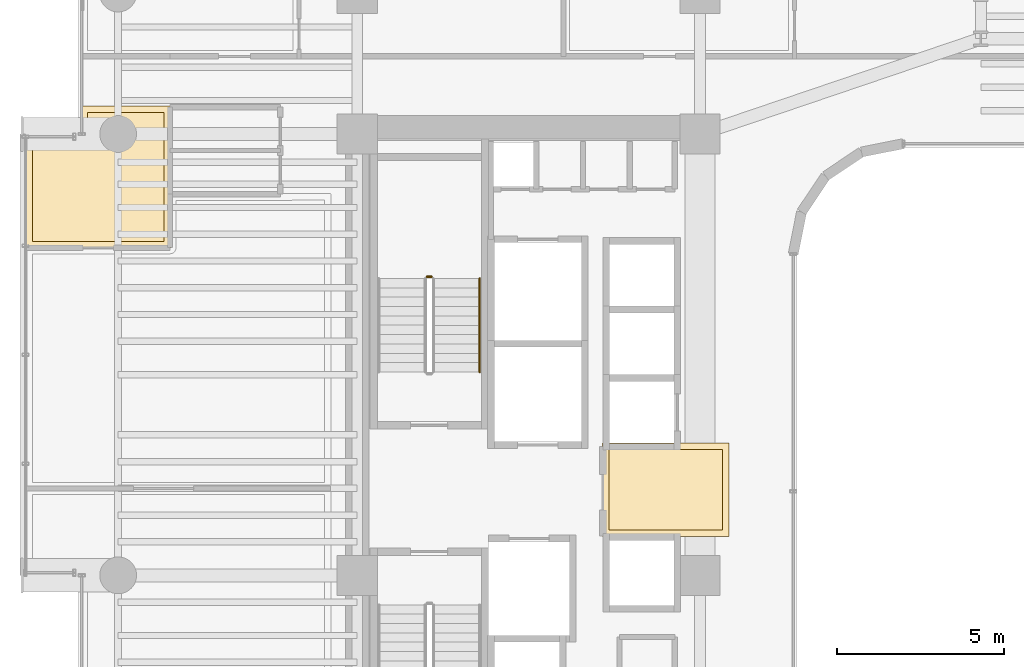
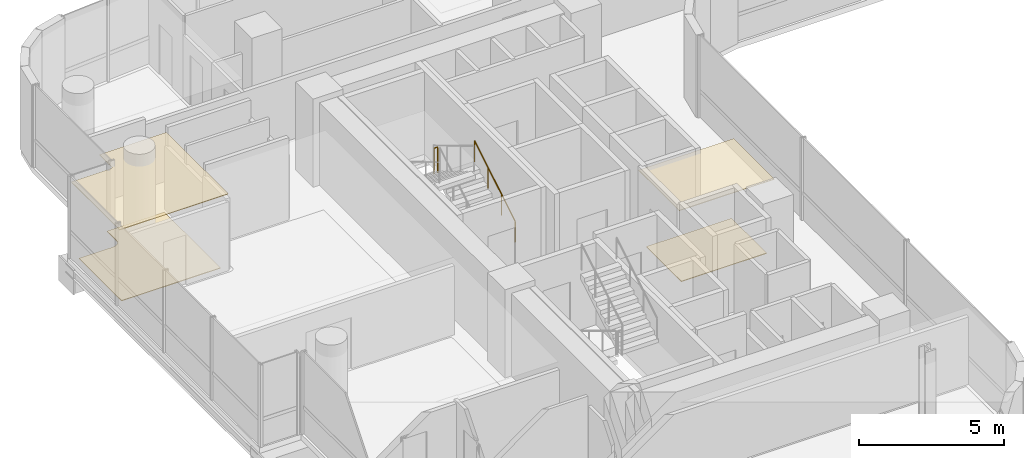
# One storey, part 33 of 36: 4 coverings, 2 railings.
"""IFC4 building model written with IfcOpenShell, lengths in metres."""

from ifc_helpers import new_model, si_unit, direction, frame, origin, origin_2d, place, context, subcontext, project, spatial, polyline, circle, outline, extrude, material, layer, layer_set, type_object, element, save


model = new_model("IFC4")

# Units and contexts
model_context = context("Model", 3, precision=1e-05, world=origin(), true_north=direction((0.0, 1.0)))
body_context = subcontext(model_context, "Body", "Model", "MODEL_VIEW")
ifc_project = project(units=[si_unit("LENGTHUNIT", "METRE"), si_unit("AREAUNIT", "SQUARE_METRE"), si_unit("VOLUMEUNIT", "CUBIC_METRE"), si_unit("PLANEANGLEUNIT", "RADIAN"), si_unit("MASSUNIT", "GRAM", prefix="KILO")], contexts=[model_context])

# Site, building, storey
site_placement = place(None, origin())
site = spatial("IfcSite", under=ifc_project, at=site_placement, CompositionType="ELEMENT")
building_placement = place(site_placement, origin())
building = spatial("IfcBuilding", under=site, at=building_placement, Name="Valdorenza Pilgrim Sanctuary Tower", CompositionType="ELEMENT")
storey_placement = place(building_placement, frame((0.0, 0.0, 109.39990234375)))
storey = spatial("IfcBuildingStorey", under=building, at=storey_placement, Name="L27", CompositionType="ELEMENT", Elevation=109.39990234375)

# Coverings
ifc_material_1 = material(Name="Micro-perforated acoustic mineral ceiling tile", Category="gypsum")
ifc_layer_1 = layer(ifc_material_1, 0.02490234375, Name="Micro-perforated acoustic mineral ceiling tile")
ifc_layer_set_1 = layer_set([ifc_layer_1], Name="Micro-perforated acoustic mineral ceiling tile")
covering_type_1 = type_object("IfcCoveringType", Name="COV-CLG-ACU", PredefinedType="CEILING", material=ifc_layer_set_1)
covering_1_placement = place(storey_placement, frame((0.0, 0.0, 3.16015625)))
element("IfcCovering", 1, at=covering_1_placement, inside=storey, type_object=covering_type_1, Name="L27 Core A Passenger Lift Lobby Acoustic Ceiling", PredefinedType="CEILING", context=body_context, shape_type="SweptSolid", body=[
    extrude(outline(polyline([(-15.31298828125, 1.244384765625), (-15.31298828125, 1.24462890625), (-15.313720703125, 1.24609375), (-15.314208984375, 1.24755859375), (-15.314697265625, 1.2490234375), (-15.31494140625, 1.25048828125), (-15.31494140625, 1.251953125), (-15.31494140625, 1.35009765625), (-15.31494140625, 1.3515625), (-15.314697265625, 1.352783203125), (-15.314453125, 1.3544921875), (-15.31396484375, 1.355712890625), (-15.313232421875, 1.357177734375), (-15.3125, 1.3583984375), (-15.3115234375, 1.359619140625), (-15.310546875, 1.360595703125), (-15.3095703125, 1.361572265625), (-15.308349609375, 1.362548828125), (-15.30712890625, 1.36328125), (-15.3056640625, 1.364013671875), (-15.304443359375, 1.364501953125), (-15.302978515625, 1.36474609375), (-15.301513671875, 1.364990234375), (-15.300048828125, 1.364990234375), (-15.10205078125, 1.364990234375), (-15.1005859375, 1.364990234375), (-15.09912109375, 1.36474609375), (-15.097412109375, 1.3642578125), (-15.09619140625, 1.36376953125), (-15.0947265625, 1.363037109375), (-15.094482421875, 1.363037109375), (-13.185546875, 1.363037109375), (-13.185302734375, 1.363037109375), (-13.183837890625, 1.36376953125), (-13.1826171875, 1.3642578125), (-13.180908203125, 1.36474609375), (-13.179443359375, 1.364990234375), (-13.177978515625, 1.364990234375), (-11.550048828125, 1.364990234375), (-11.548583984375, 1.364990234375), (-11.547119140625, 1.36474609375), (-11.545654296875, 1.364501953125), (-11.544189453125, 1.364013671875), (-11.54296875, 1.36328125), (-11.541748046875, 1.362548828125), (-11.54052734375, 1.361572265625), (-11.539306640625, 1.360595703125), (-11.538330078125, 1.359619140625), (-11.53759765625, 1.3583984375), (-11.536865234375, 1.357177734375), (-11.5361328125, 1.355712890625), (-11.53564453125, 1.3544921875), (-11.535400390625, 1.352783203125), (-11.53515625, 1.3515625), (-11.534912109375, 1.35009765625), (-11.534912109375, -1.419921875), (-11.53515625, -1.42138671875), (-11.535400390625, -1.4228515625), (-11.53564453125, -1.42431640625), (-11.5361328125, -1.42578125), (-11.536865234375, -1.427001953125), (-11.53759765625, -1.42822265625), (-11.538330078125, -1.429443359375), (-11.539306640625, -1.4306640625), (-11.54052734375, -1.431640625), (-11.541748046875, -1.4326171875), (-11.54296875, -1.43310546875), (-11.544189453125, -1.433837890625), (-11.545654296875, -1.434326171875), (-11.547119140625, -1.434814453125), (-11.548583984375, -1.434814453125), (-11.550048828125, -1.43505859375), (-15.298095703125, -1.43505859375), (-15.299560546875, -1.434814453125), (-15.30078125, -1.434814453125), (-15.302490234375, -1.434326171875), (-15.3037109375, -1.433837890625), (-15.30517578125, -1.43310546875), (-15.306396484375, -1.4326171875), (-15.3076171875, -1.431640625), (-15.30859375, -1.4306640625), (-15.3095703125, -1.429443359375), (-15.310546875, -1.42822265625), (-15.311279296875, -1.427001953125), (-15.31201171875, -1.42578125), (-15.3125, -1.42431640625), (-15.312744140625, -1.4228515625), (-15.31298828125, -1.42138671875), (-15.31298828125, -1.419921875), (-15.31298828125, 1.244384765625)])), origin(), (0.0, 0.0, 1.0), 0.02490234375),
])
covering_2_placement = place(storey_placement, frame((0.0, 0.0, 3.16015625)))
element("IfcCovering", 2, at=covering_2_placement, inside=storey, type_object=covering_type_1, Name="L27 Pilgrim Scholar Office L27-1 Acoustic Ceiling", PredefinedType="CEILING", context=body_context, shape_type="SweptSolid", body=[
    extrude(outline(polyline([(-28.237060546875, 8.805419921875), (-28.23681640625, 8.805419921875), (-28.236083984375, 8.803955078125), (-28.235595703125, 8.802490234375), (-28.2353515625, 8.801025390625), (-28.235107421875, 8.799560546875), (-28.235107421875, 8.798095703125), (-28.235107421875, 7.199951171875), (-28.235107421875, 7.198486328125), (-28.2353515625, 7.197021484375), (-28.235595703125, 7.195556640625), (-28.236083984375, 7.1943359375), (-28.23681640625, 7.19287109375), (-28.237548828125, 7.191650390625), (-28.23828125, 7.1904296875), (-28.239501953125, 7.189453125), (-28.240478515625, 7.1884765625), (-28.24169921875, 7.1875), (-28.242919921875, 7.186767578125), (-28.244384765625, 7.18603515625), (-28.24560546875, 7.185546875), (-28.2470703125, 7.185302734375), (-28.24853515625, 7.18505859375), (-28.25, 7.18505859375), (-32.5400390625, 7.18505859375), (-32.54150390625, 7.18505859375), (-32.54296875, 7.185302734375), (-32.54443359375, 7.185546875), (-32.545654296875, 7.18603515625), (-32.547119140625, 7.186767578125), (-32.54833984375, 7.1875), (-32.549560546875, 7.1884765625), (-32.550537109375, 7.189453125), (-32.551513671875, 7.1904296875), (-32.552490234375, 7.191650390625), (-32.55322265625, 7.19287109375), (-32.553955078125, 7.1943359375), (-32.554443359375, 7.195556640625), (-32.5546875, 7.197021484375), (-32.554931640625, 7.198486328125), (-32.554931640625, 7.199951171875), (-32.554931640625, 10.489990234375), (-32.554931640625, 10.491455078125), (-32.5546875, 10.492919921875), (-32.554443359375, 10.494384765625), (-32.553955078125, 10.49560546875), (-32.55322265625, 10.4970703125), (-32.552490234375, 10.498291015625), (-32.551513671875, 10.49951171875), (-32.550537109375, 10.50048828125), (-32.549560546875, 10.501708984375), (-32.54833984375, 10.50244140625), (-32.547119140625, 10.503173828125), (-32.545654296875, 10.50390625), (-32.54443359375, 10.50439453125), (-32.54296875, 10.504638671875), (-32.54150390625, 10.5048828125), (-32.5400390625, 10.5048828125), (-31.00048828125, 10.5048828125), (-30.99072265625, 10.505615234375), (-30.9814453125, 10.5068359375), (-30.972412109375, 10.509033203125), (-30.963623046875, 10.51220703125), (-30.955078125, 10.51611328125), (-30.947265625, 10.52099609375), (-30.939697265625, 10.526611328125), (-30.932861328125, 10.53271484375), (-30.926513671875, 10.539794921875), (-30.9208984375, 10.547119140625), (-30.916259765625, 10.55517578125), (-30.912109375, 10.563720703125), (-30.9091796875, 10.572509765625), (-30.90673828125, 10.58154296875), (-30.905517578125, 10.5908203125), (-30.905029296875, 10.600341796875), (-30.905029296875, 11.419921875), (-30.90478515625, 11.42138671875), (-30.90478515625, 11.4228515625), (-30.904296875, 11.42431640625), (-30.90380859375, 11.42578125), (-30.9033203125, 11.427001953125), (-30.902587890625, 11.42822265625), (-30.901611328125, 11.429443359375), (-30.900634765625, 11.4306640625), (-30.8994140625, 11.431640625), (-30.898193359375, 11.4326171875), (-30.897216796875, 11.43310546875), (-30.895751953125, 11.433837890625), (-30.894287109375, 11.434326171875), (-30.892822265625, 11.434814453125), (-30.8916015625, 11.434814453125), (-30.889892578125, 11.43505859375), (-28.25, 11.43505859375), (-28.24853515625, 11.434814453125), (-28.2470703125, 11.434814453125), (-28.24560546875, 11.434326171875), (-28.244384765625, 11.433837890625), (-28.242919921875, 11.43310546875), (-28.24169921875, 11.4326171875), (-28.240478515625, 11.431640625), (-28.239501953125, 11.4306640625), (-28.23828125, 11.429443359375), (-28.237548828125, 11.42822265625), (-28.23681640625, 11.427001953125), (-28.236083984375, 11.42578125), (-28.235595703125, 11.42431640625), (-28.2353515625, 11.4228515625), (-28.235107421875, 11.42138671875), (-28.235107421875, 11.419921875), (-28.235107421875, 11.402099609375), (-28.235107421875, 11.400390625), (-28.2353515625, 11.39892578125), (-28.235595703125, 11.3974609375), (-28.236083984375, 11.39599609375), (-28.23681640625, 11.394775390625), (-28.237060546875, 11.39453125), (-28.237060546875, 10.103759765625), (-28.23681640625, 10.10302734375), (-28.23681640625, 10.1015625), (-28.23681640625, 10.10009765625), (-28.23681640625, 10.098388671875), (-28.237060546875, 10.09814453125), (-28.237060546875, 8.805419921875)])), origin(), (0.0, 0.0, 1.0), 0.02490234375),
])
ifc_material_2 = material(Name="Honed travertine stone flooring", Category="masonry")
ifc_layer_2 = layer(ifc_material_2, 0.030029296875, Name="Honed travertine stone flooring")
ifc_layer_set_2 = layer_set([ifc_layer_2], Name="Honed travertine stone flooring")
covering_type_2 = type_object("IfcCoveringType", Name="COV-FLR-TRV", PredefinedType="FLOORING", material=ifc_layer_set_2)
covering_3_placement = place(storey_placement, origin())
element("IfcCovering", 3, at=covering_3_placement, inside=storey, type_object=covering_type_2, Name="L27 Core A Passenger Lift Lobby Flooring", PredefinedType="FLOORING", context=body_context, shape_type="SweptSolid", body=[
    extrude(outline(polyline([(-15.117919921875, 1.169189453125), (-15.10888671875, 1.168212890625), (-15.10888671875, 1.168212890625), (-15.10009765625, 1.16796875), (-13.179931640625, 1.16796875), (-13.1796875, 1.16796875), (-11.72998046875, 1.169921875), (-11.72998046875, -1.239990234375), (-15.117919921875, -1.239990234375), (-15.117919921875, 1.169189453125)])), origin(), (0.0, 0.0, 1.0), 0.025146484375),
])
covering_4_placement = place(storey_placement, origin())
element("IfcCovering", 4, at=covering_4_placement, inside=storey, type_object=covering_type_2, Name="L27 Pilgrim Scholar Office L27-1 Flooring", PredefinedType="FLOORING", context=body_context, shape_type="SweptSolid", body=[
    extrude(outline(polyline([(-28.431884765625, 11.239990234375), (-28.431884765625, 10.10205078125), (-28.431884765625, 10.10107421875), (-28.431884765625, 10.100341796875), (-28.431884765625, 10.10009765625), (-28.431884765625, 8.800048828125), (-28.431884765625, 8.7998046875), (-28.43017578125, 7.3798828125), (-32.360107421875, 7.3798828125), (-32.360107421875, 10.31005859375), (-31.0, 10.31005859375), (-30.9912109375, 10.310302734375), (-30.98046875, 10.310791015625), (-30.962890625, 10.3125), (-30.9521484375, 10.314208984375), (-30.934814453125, 10.3173828125), (-30.92431640625, 10.320068359375), (-30.907470703125, 10.3251953125), (-30.897216796875, 10.328857421875), (-30.880859375, 10.335693359375), (-30.87109375, 10.34033203125), (-30.855712890625, 10.3486328125), (-30.84619140625, 10.35400390625), (-30.831787109375, 10.364013671875), (-30.822998046875, 10.370361328125), (-30.809326171875, 10.381591796875), (-30.80126953125, 10.388916015625), (-30.788818359375, 10.4013671875), (-30.781494140625, 10.4091796875), (-30.7705078125, 10.423095703125), (-30.763916015625, 10.431640625), (-30.754150390625, 10.4462890625), (-30.74853515625, 10.45556640625), (-30.740234375, 10.47119140625), (-30.735595703125, 10.48095703125), (-30.72900390625, 10.497314453125), (-30.725341796875, 10.50732421875), (-30.72021484375, 10.5244140625), (-30.717529296875, 10.534912109375), (-30.714111328125, 10.552001953125), (-30.71240234375, 10.562744140625), (-30.710693359375, 10.580322265625), (-30.710205078125, 10.59130859375), (-30.7099609375, 10.60009765625), (-30.7099609375, 11.239990234375), (-28.431884765625, 11.239990234375)])), origin(), (0.0, 0.0, 1.0), 0.025146484375),
])

# Railings
ifc_material_3 = material(Name="Stainless steel Grade 316", Category="steel")
railing_type_1 = type_object("IfcRailingType", Name="RLG-GRD-1120", PredefinedType="GUARDRAIL", material=ifc_material_3)
railing_1_placement = place(storey_placement, frame((-20.419921875, 6.330078125, 1.85009765625)))
element("IfcRailing", 5, at=railing_1_placement, inside=storey, type_object=railing_type_1, Name="L27 ST-A1 stair guard 2", PredefinedType="GUARDRAIL", context=body_context, shape_type="SweptSolid", body=[
    extrude(circle(Radius=0.02392578125, at=origin_2d()), frame((0.0, 0.0, 1.076171875), z_axis=(-1.0, 0.0, 0.0), x_axis=(0.0, -1.0, 0.0)), (0.0, 0.0, 1.0), 0.150146484375),
    extrude(circle(Radius=0.02099609375, at=origin_2d()), origin(), (0.0, 0.0, 1.0), 1.052001953125),
    extrude(circle(Radius=0.02099609375, at=origin_2d()), frame((-0.150146484375, 0.0, 0.0)), (0.0, 0.0, 1.0), 1.052001953125),
])
ifc_material_4 = material(Name="Brushed stainless steel Grade 316", Category="steel")
railing_type_2 = type_object("IfcRailingType", Name="RLG-HND-920", PredefinedType="HANDRAIL", material=ifc_material_4)
railing_2_placement = place(storey_placement, frame((-18.989990234375, 3.47998046875, 0.168212890625)))
element("IfcRailing", 6, at=railing_2_placement, inside=storey, type_object=railing_type_2, Name="L27 ST-A1 stair handrail 1", PredefinedType="HANDRAIL", context=body_context, shape_type="SweptSolid", body=[
    extrude(circle(Radius=0.02392578125, at=origin_2d()), frame((0.0, 0.0, 0.8759765625), z_axis=(0.0, 0.857242210791, 0.514913383045), x_axis=(-1.0, 0.0, 0.0)), (0.0, 0.0, 1.0), 3.266357421875),
    extrude(circle(Radius=0.02099609375, at=origin_2d()), origin(), (0.0, 0.0, 1.0), 0.851806640625),
    extrude(circle(Radius=0.02099609375, at=origin_2d()), frame((0.0, 0.933349609375, 0.560546875)), (0.0, 0.0, 1.0), 0.851806640625),
    extrude(circle(Radius=0.02099609375, at=origin_2d()), frame((0.0, 1.86669921875, 1.121337890625)), (0.0, 0.0, 1.0), 0.851806640625),
    extrude(circle(Radius=0.02099609375, at=origin_2d()), frame((0.0, 2.800048828125, 1.681884765625)), (0.0, 0.0, 1.0), 0.851806640625),
])

save(model, "model.ifc")
